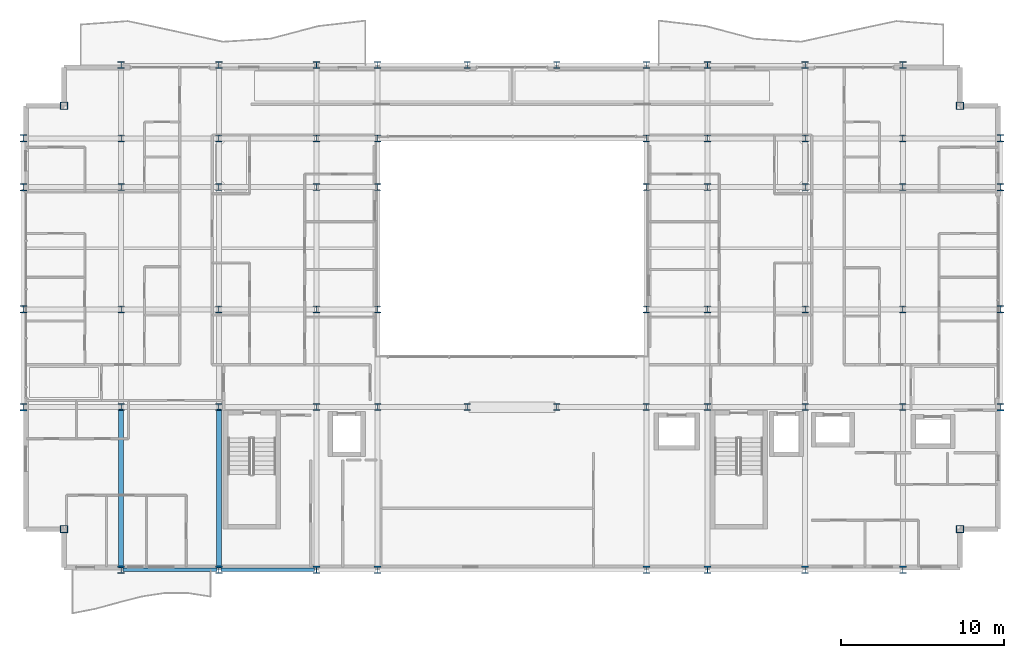
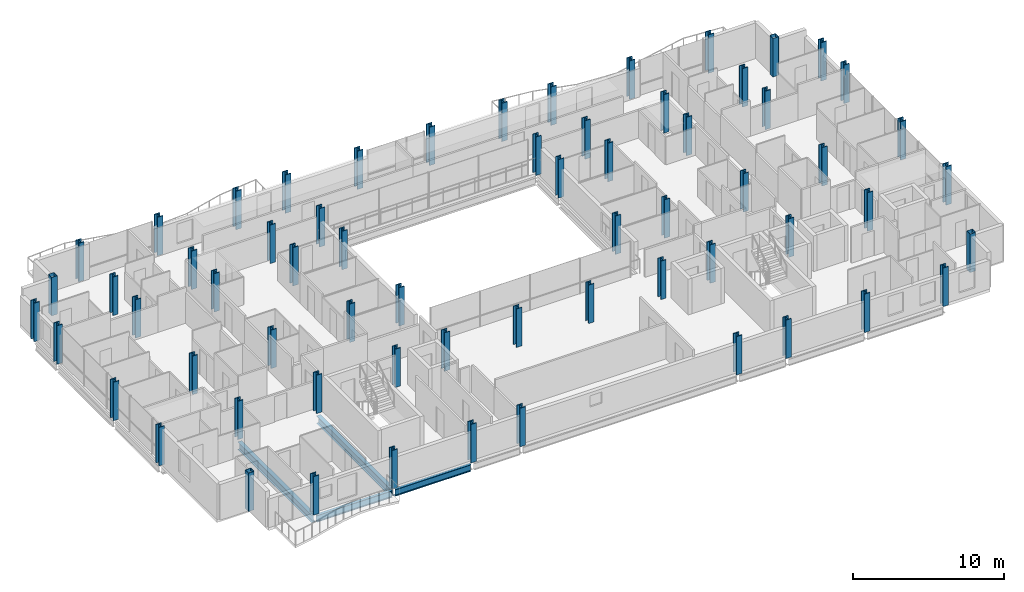
# One storey, part 1 of 41: 64 columns, 4 beams.
"""IFC4 building model written with IfcOpenShell, lengths in metres."""

from ifc_helpers import new_model, si_unit, direction, frame, origin, origin_2d, place, context, subcontext, project, spatial, hollow_rectangle, i_section, extrude, material, material_profile, profile_set, type_object, element, save


model = new_model("IFC4")

# Units and contexts
model_context = context("Model", 3, precision=1e-05, world=origin(), true_north=direction((0.0, 1.0)))
body_context = subcontext(model_context, "Body", "Model", "MODEL_VIEW")
ifc_project = project(units=[si_unit("LENGTHUNIT", "METRE"), si_unit("AREAUNIT", "SQUARE_METRE"), si_unit("VOLUMEUNIT", "CUBIC_METRE"), si_unit("PLANEANGLEUNIT", "RADIAN"), si_unit("MASSUNIT", "GRAM", prefix="KILO")], contexts=[model_context])

# Site, building, storey
site_placement = place(None, origin())
site = spatial("IfcSite", under=ifc_project, at=site_placement, CompositionType="ELEMENT")
building_placement = place(site_placement, origin())
building = spatial("IfcBuilding", under=site, at=building_placement, Name="Brevholm Reach", CompositionType="ELEMENT")
storey_placement = place(building_placement, frame((0.0, 0.0, 74.5)))
storey = spatial("IfcBuildingStorey", under=building, at=storey_placement, Name="L21", CompositionType="ELEMENT", Elevation=74.5)

# Columns
ifc_material_1 = material(Name="Structural Steel S460NH", Category="steel")
ifc_material_profile_1 = material_profile(ifc_material_1, hollow_rectangle(XDim=0.449951171875, YDim=0.449951171875, WallThickness=0.02490234375, InnerFilletRadius=0.011962890625, OuterFilletRadius=0.02392578125, at=origin_2d()), Name="SHS 450x450x25")
ifc_profile_set_1 = profile_set([ifc_material_profile_1], Name="Structural Steel S460NH")
column_type_1 = type_object("IfcColumnType", Name="COL-SHS1", PredefinedType="COLUMN", material=ifc_profile_set_1)
for number, where, z_axis, x_axis, name in (
    (1, (2.5, 2.5, 0.0), (0.0, 0.0, 1.0), (1.0, 0.0, 0.0), "L21 Column 05"),
    (2, (2.5, 28.5, 0.0), (0.0, 0.0, 1.0), (1.0, 0.0, 0.0), "L21 Column 06"),
    (3, (57.5, 2.5, 0.0), (0.0, 0.0, 1.0), (1.0, 0.0, 0.0), "L21 Column 59"),
    (4, (57.5, 28.5, 0.0), (0.0, 0.0, 1.0), (1.0, 0.0, 0.0), "L21 Column 60"),
):
    element("IfcColumn", number, at=place(storey_placement, frame(where, z_axis=z_axis, x_axis=x_axis)), inside=storey, type_object=column_type_1, Name=name, PredefinedType="COLUMN", context=body_context, shape_type="SweptSolid", body=[
        extrude(hollow_rectangle(XDim=0.449951171875, YDim=0.449951171875, WallThickness=0.02490234375, InnerFilletRadius=0.011962890625, OuterFilletRadius=0.02392578125, at=origin_2d()), origin(), (0.0, 0.0, 1.0), 3.10009765625),
    ])
ifc_material_2 = material(Name="Structural Steel S460ML", Category="steel")
ifc_material_profile_2 = material_profile(ifc_material_2, i_section(OverallWidth=0.41845703125, OverallDepth=0.45556640625, WebThickness=0.0419921875, FlangeThickness=0.0673828125, FilletRadius=0.01513671875, at=origin_2d()), Name="UKC 356x406x551")
ifc_profile_set_2 = profile_set([ifc_material_profile_2], Name="Structural Steel S460ML")
column_type_2 = type_object("IfcColumnType", Name="COL-UC2", PredefinedType="COLUMN", material=ifc_profile_set_2)
for number, where, z_axis, x_axis, name in (
    (5, (0.0, 10.0, 0.0), (0.0, 0.0, 1.0), (1.0, 0.0, 0.0), "L21 Column 01"),
    (6, (0.0, 16.0, 0.0), (0.0, 0.0, 1.0), (1.0, 0.0, 0.0), "L21 Column 02"),
    (7, (0.0, 23.5, 0.0), (0.0, 0.0, 1.0), (1.0, 0.0, 0.0), "L21 Column 03"),
    (8, (0.0, 26.5, 0.0), (0.0, 0.0, 1.0), (1.0, 0.0, 0.0), "L21 Column 04"),
    (9, (6.0, 0.0, 0.0), (0.0, 0.0, 1.0), (1.0, 0.0, 0.0), "L21 Column 07"),
    (10, (6.0, 31.0, 0.0), (0.0, 0.0, 1.0), (1.0, 0.0, 0.0), "L21 Column 12"),
    (11, (12.0, 0.0, 0.0), (0.0, 0.0, 1.0), (1.0, 0.0, 0.0), "L21 Column 13"),
    (12, (12.0, 31.0, 0.0), (0.0, 0.0, 1.0), (1.0, 0.0, 0.0), "L21 Column 18"),
    (13, (18.0, 0.0, 0.0), (0.0, 0.0, 1.0), (1.0, 0.0, 0.0), "L21 Column 19"),
    (14, (18.0, 31.0, 0.0), (0.0, 0.0, 1.0), (1.0, 0.0, 0.0), "L21 Column 24"),
    (15, (21.75, 0.0, 0.0), (0.0, 0.0, 1.0), (1.0, 0.0, 0.0), "L21 Column 25"),
    (16, (21.75, 31.0, 0.0), (0.0, 0.0, 1.0), (1.0, 0.0, 0.0), "L21 Column 30"),
    (17, (27.25, 31.0, 0.0), (0.0, 0.0, 1.0), (1.0, 0.0, 0.0), "L21 Column 32"),
    (18, (32.75, 31.0, 0.0), (0.0, 0.0, 1.0), (1.0, 0.0, 0.0), "L21 Column 34"),
    (19, (38.25, 0.0, 0.0), (0.0, 0.0, 1.0), (1.0, 0.0, 0.0), "L21 Column 35"),
    (20, (38.25, 31.0, 0.0), (0.0, 0.0, 1.0), (1.0, 0.0, 0.0), "L21 Column 40"),
    (21, (42.0, 0.0, 0.0), (0.0, 0.0, 1.0), (1.0, 0.0, 0.0), "L21 Column 41"),
    (22, (42.0, 31.0, 0.0), (0.0, 0.0, 1.0), (1.0, 0.0, 0.0), "L21 Column 46"),
    (23, (48.0, 0.0, 0.0), (0.0, 0.0, 1.0), (1.0, 0.0, 0.0), "L21 Column 47"),
    (24, (48.0, 31.0, 0.0), (0.0, 0.0, 1.0), (1.0, 0.0, 0.0), "L21 Column 52"),
    (25, (54.0, 0.0, 0.0), (0.0, 0.0, 1.0), (1.0, 0.0, 0.0), "L21 Column 53"),
    (26, (54.0, 31.0, 0.0), (0.0, 0.0, 1.0), (1.0, 0.0, 0.0), "L21 Column 58"),
    (27, (60.0, 10.0, 0.0), (0.0, 0.0, 1.0), (1.0, 0.0, 0.0), "L21 Column 61"),
    (28, (60.0, 16.0, 0.0), (0.0, 0.0, 1.0), (1.0, 0.0, 0.0), "L21 Column 62"),
    (29, (60.0, 23.5, 0.0), (0.0, 0.0, 1.0), (1.0, 0.0, 0.0), "L21 Column 63"),
    (30, (60.0, 26.5, 0.0), (0.0, 0.0, 1.0), (1.0, 0.0, 0.0), "L21 Column 64"),
):
    element("IfcColumn", number, at=place(storey_placement, frame(where, z_axis=z_axis, x_axis=x_axis)), inside=storey, type_object=column_type_2, Name=name, PredefinedType="COLUMN", context=body_context, shape_type="SweptSolid", body=[
        extrude(i_section(OverallWidth=0.41845703125, OverallDepth=0.45556640625, WebThickness=0.0419921875, FlangeThickness=0.0673828125, FilletRadius=0.01513671875, at=origin_2d()), origin(), (0.0, 0.0, 1.0), 3.10009765625),
    ])
ifc_material_3 = material(Name="Structural Steel S460ML", Category="steel")
ifc_material_profile_3 = material_profile(ifc_material_3, i_section(OverallWidth=0.412109375, OverallDepth=0.4365234375, WebThickness=0.035888671875, FlangeThickness=0.05810546875, FilletRadius=0.01513671875, at=origin_2d()), Name="UKC 356x406x467")
ifc_profile_set_3 = profile_set([ifc_material_profile_3], Name="Structural Steel S460ML")
column_type_3 = type_object("IfcColumnType", Name="COL-UC3", PredefinedType="COLUMN", material=ifc_profile_set_3)
for number, where, z_axis, x_axis, name in (
    (31, (6.0, 10.0, 0.0), (0.0, 0.0, 1.0), (1.0, 0.0, 0.0), "L21 Column 08"),
    (32, (6.0, 16.0, 0.0), (0.0, 0.0, 1.0), (1.0, 0.0, 0.0), "L21 Column 09"),
    (33, (6.0, 23.5, 0.0), (0.0, 0.0, 1.0), (1.0, 0.0, 0.0), "L21 Column 10"),
    (34, (6.0, 26.5, 0.0), (0.0, 0.0, 1.0), (1.0, 0.0, 0.0), "L21 Column 11"),
    (35, (12.0, 10.0, 0.0), (0.0, 0.0, 1.0), (1.0, 0.0, 0.0), "L21 Column 14"),
    (36, (12.0, 16.0, 0.0), (0.0, 0.0, 1.0), (1.0, 0.0, 0.0), "L21 Column 15"),
    (37, (12.0, 23.5, 0.0), (0.0, 0.0, 1.0), (1.0, 0.0, 0.0), "L21 Column 16"),
    (38, (12.0, 26.5, 0.0), (0.0, 0.0, 1.0), (1.0, 0.0, 0.0), "L21 Column 17"),
    (39, (18.0, 10.0, 0.0), (0.0, 0.0, 1.0), (1.0, 0.0, 0.0), "L21 Column 20"),
    (40, (18.0, 16.0, 0.0), (0.0, 0.0, 1.0), (1.0, 0.0, 0.0), "L21 Column 21"),
    (41, (18.0, 23.5, 0.0), (0.0, 0.0, 1.0), (1.0, 0.0, 0.0), "L21 Column 22"),
    (42, (18.0, 26.5, 0.0), (0.0, 0.0, 1.0), (1.0, 0.0, 0.0), "L21 Column 23"),
    (43, (21.75, 10.0, 0.0), (0.0, 0.0, 1.0), (1.0, 0.0, 0.0), "L21 Column 26"),
    (44, (21.75, 16.0, 0.0), (0.0, 0.0, 1.0), (1.0, 0.0, 0.0), "L21 Column 27"),
    (45, (21.75, 23.5, 0.0), (0.0, 0.0, 1.0), (1.0, 0.0, 0.0), "L21 Column 28"),
    (46, (21.75, 26.5, 0.0), (0.0, 0.0, 1.0), (1.0, 0.0, 0.0), "L21 Column 29"),
    (47, (27.25, 10.0, 0.0), (0.0, 0.0, 1.0), (1.0, 0.0, 0.0), "L21 Column 31"),
    (48, (32.75, 10.0, 0.0), (0.0, 0.0, 1.0), (1.0, 0.0, 0.0), "L21 Column 33"),
    (49, (38.25, 10.0, 0.0), (0.0, 0.0, 1.0), (1.0, 0.0, 0.0), "L21 Column 36"),
    (50, (38.25, 16.0, 0.0), (0.0, 0.0, 1.0), (1.0, 0.0, 0.0), "L21 Column 37"),
    (51, (38.25, 23.5, 0.0), (0.0, 0.0, 1.0), (1.0, 0.0, 0.0), "L21 Column 38"),
    (52, (38.25, 26.5, 0.0), (0.0, 0.0, 1.0), (1.0, 0.0, 0.0), "L21 Column 39"),
    (53, (42.0, 10.0, 0.0), (0.0, 0.0, 1.0), (1.0, 0.0, 0.0), "L21 Column 42"),
    (54, (42.0, 16.0, 0.0), (0.0, 0.0, 1.0), (1.0, 0.0, 0.0), "L21 Column 43"),
    (55, (42.0, 23.5, 0.0), (0.0, 0.0, 1.0), (1.0, 0.0, 0.0), "L21 Column 44"),
    (56, (42.0, 26.5, 0.0), (0.0, 0.0, 1.0), (1.0, 0.0, 0.0), "L21 Column 45"),
    (57, (48.0, 10.0, 0.0), (0.0, 0.0, 1.0), (1.0, 0.0, 0.0), "L21 Column 48"),
    (58, (48.0, 16.0, 0.0), (0.0, 0.0, 1.0), (1.0, 0.0, 0.0), "L21 Column 49"),
    (59, (48.0, 23.5, 0.0), (0.0, 0.0, 1.0), (1.0, 0.0, 0.0), "L21 Column 50"),
    (60, (48.0, 26.5, 0.0), (0.0, 0.0, 1.0), (1.0, 0.0, 0.0), "L21 Column 51"),
    (61, (54.0, 10.0, 0.0), (0.0, 0.0, 1.0), (1.0, 0.0, 0.0), "L21 Column 54"),
    (62, (54.0, 16.0, 0.0), (0.0, 0.0, 1.0), (1.0, 0.0, 0.0), "L21 Column 55"),
    (63, (54.0, 23.5, 0.0), (0.0, 0.0, 1.0), (1.0, 0.0, 0.0), "L21 Column 56"),
    (64, (54.0, 26.5, 0.0), (0.0, 0.0, 1.0), (1.0, 0.0, 0.0), "L21 Column 57"),
):
    element("IfcColumn", number, at=place(storey_placement, frame(where, z_axis=z_axis, x_axis=x_axis)), inside=storey, type_object=column_type_3, Name=name, PredefinedType="COLUMN", context=body_context, shape_type="SweptSolid", body=[
        extrude(i_section(OverallWidth=0.412109375, OverallDepth=0.4365234375, WebThickness=0.035888671875, FlangeThickness=0.05810546875, FilletRadius=0.01513671875, at=origin_2d()), origin(), (0.0, 0.0, 1.0), 3.10009765625),
    ])

# Beams
ifc_material_4 = material(Name="Structural Steel S355J2", Category="steel")
ifc_material_profile_4 = material_profile(ifc_material_4, i_section(OverallWidth=0.210693359375, OverallDepth=0.53955078125, WebThickness=0.01171875, FlangeThickness=0.018798828125, FilletRadius=0.0126953125, at=origin_2d()), Name="UKB 533x210x109")
ifc_profile_set_4 = profile_set([ifc_material_profile_4], Name="Structural Steel S355J2")
beam_type_1 = type_object("IfcBeamType", Name="BM-SP539", PredefinedType="SPANDREL", material=ifc_profile_set_4)
for number, where, z_axis, x_axis, name in (
    (65, (6.1201171875, 0.0, -0.499755859375), (1.0, 0.0, 0.0), (0.0, 1.0, 0.0), "L21 SP-01B Framing Beam"),
    (66, (12.1201171875, 0.0, -0.499755859375), (1.0, 0.0, 0.0), (0.0, 1.0, 0.0), "L21 SP-01B Framing Beam"),
):
    element("IfcBeam", number, at=place(storey_placement, frame(where, z_axis=z_axis, x_axis=x_axis)), inside=storey, type_object=beam_type_1, Name=name, PredefinedType="SPANDREL", context=body_context, shape_type="SweptSolid", body=[
        extrude(i_section(OverallWidth=0.210693359375, OverallDepth=0.53955078125, WebThickness=0.01171875, FlangeThickness=0.018798828125, FilletRadius=0.0126953125, at=origin_2d()), origin(), (0.0, 0.0, 1.0), 5.759765625),
    ])
ifc_material_5 = material(Name="Structural Steel S355J2", Category="steel")
ifc_material_profile_5 = material_profile(ifc_material_5, i_section(OverallWidth=0.30712890625, OverallDepth=0.6201171875, WebThickness=0.01416015625, FlangeThickness=0.023681640625, FilletRadius=0.0166015625, at=origin_2d()), Name="UKB 610x305x179")
ifc_profile_set_5 = profile_set([ifc_material_profile_5], Name="Structural Steel S355J2")
beam_type_2 = type_object("IfcBeamType", Name="BM-UKB610H", PredefinedType="USERDEFINED", material=ifc_profile_set_5)
for number, where, z_axis, x_axis, name in (
    (67, (6.0, 0.1201171875, -0.5400390625), (0.0, 1.0, 0.0), (-1.0, 0.0, 0.0), "L21 G-06 Framing Beam"),
    (68, (12.0, 0.1201171875, -0.5400390625), (0.0, 1.0, 0.0), (-1.0, 0.0, 0.0), "L21 G-06 Framing Beam"),
):
    element("IfcBeam", number, at=place(storey_placement, frame(where, z_axis=z_axis, x_axis=x_axis)), inside=storey, type_object=beam_type_2, Name=name, ObjectType="GIRDER", PredefinedType="USERDEFINED", context=body_context, shape_type="SweptSolid", body=[
        extrude(i_section(OverallWidth=0.30712890625, OverallDepth=0.6201171875, WebThickness=0.01416015625, FlangeThickness=0.023681640625, FilletRadius=0.0166015625, at=origin_2d()), origin(), (0.0, 0.0, 1.0), 9.759765625),
    ])

save(model, "model.ifc")
